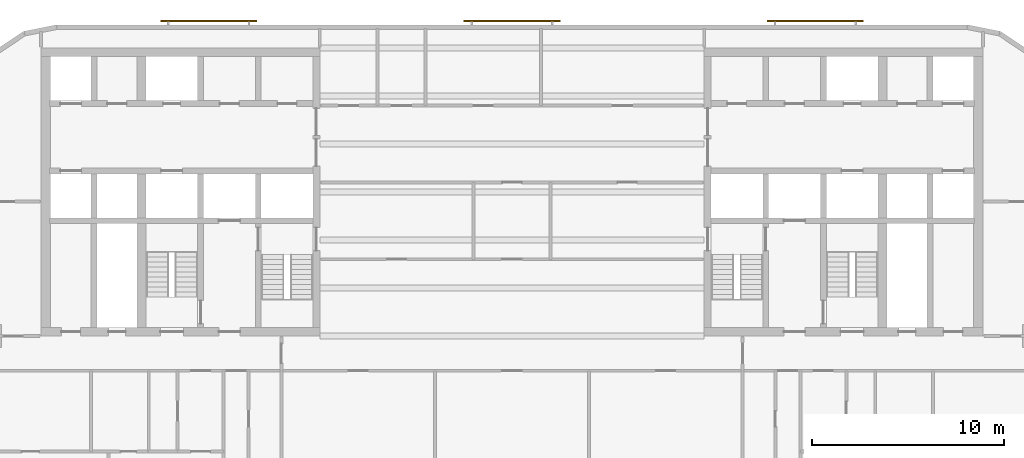
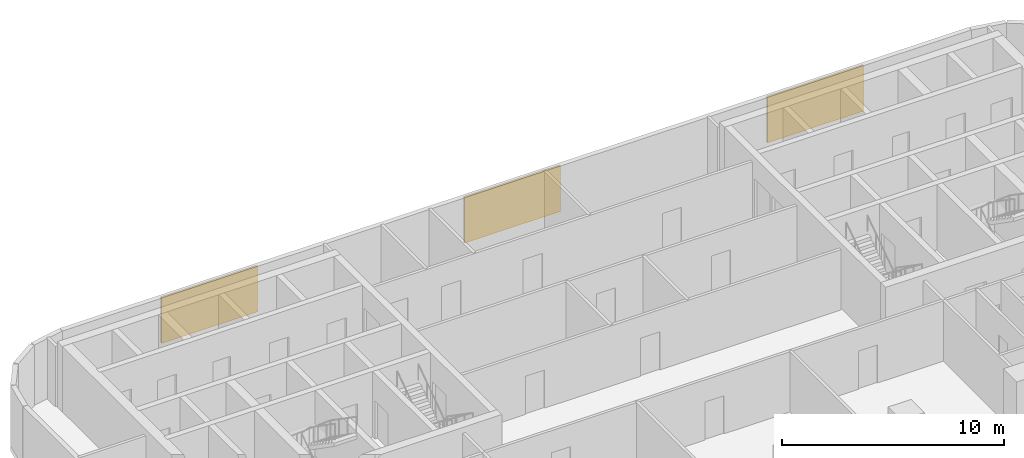
# One storey, part 10 of 11: 3 shading devices.
"""IFC4 building model written with IfcOpenShell, lengths in metres."""

from ifc_helpers import new_model, si_unit, direction, frame, origin, origin_2d, place, context, subcontext, project, spatial, rectangle, extrude, material, layer, layer_set, type_object, element, save


model = new_model("IFC4")

# Units and contexts
model_context = context("Model", 3, precision=1e-05, world=origin(), true_north=direction((0.0, 1.0)))
body_context = subcontext(model_context, "Body", "Model", "MODEL_VIEW")
ifc_project = project(units=[si_unit("LENGTHUNIT", "METRE"), si_unit("AREAUNIT", "SQUARE_METRE"), si_unit("VOLUMEUNIT", "CUBIC_METRE"), si_unit("PLANEANGLEUNIT", "RADIAN"), si_unit("MASSUNIT", "GRAM", prefix="KILO")], contexts=[model_context])

# Site, building, storey
site_placement = place(None, origin())
site = spatial("IfcSite", under=ifc_project, at=site_placement, CompositionType="ELEMENT")
building_placement = place(site_placement, origin())
building = spatial("IfcBuilding", under=site, at=building_placement, Name="Torana Hotel and Residences", CompositionType="ELEMENT")
storey_placement = place(building_placement, frame((0.0, 0.0, 148.800048828125)))
storey = spatial("IfcBuildingStorey", under=building, at=storey_placement, Name="L38", CompositionType="ELEMENT", Elevation=148.800048828125)

# Shading devices
ifc_material = material(Name="Concrete C40/50 precast", Category="concrete")
ifc_layer = layer(ifc_material, 0.10009765625)
ifc_layer_set = layer_set([ifc_layer], Name="SC1 PERFORATED BLOCK SCREEN PANEL 100")
shading_device_type = type_object("IfcShadingDeviceType", Name="SC1 PERFORATED BLOCK SCREEN PANEL 100", PredefinedType="USERDEFINED", material=ifc_layer_set)
for number, where, z_axis, x_axis, name in (
    (1, (15.78369140625, 1.39990234375, 0.5), (0.0, 0.0, 1.0), (-1.0, 0.0, 0.0), "Perforated block screen L38"),
    (2, (0.0, 1.39990234375, 0.5), (0.0, 0.0, 1.0), (-1.0, 0.0, 0.0), "Perforated block screen L38"),
    (3, (-15.78369140625, 1.39990234375, 0.5), (0.0, 0.0, 1.0), (-1.0, 0.0, 0.0), "Perforated block screen L38"),
):
    element("IfcShadingDevice", number, at=place(storey_placement, frame(where, z_axis=z_axis, x_axis=x_axis)), inside=storey, type_object=shading_device_type, Name=name, ObjectType="SCREEN", PredefinedType="USERDEFINED", context=body_context, shape_type="SweptSolid", body=[
        extrude(rectangle(XDim=5.0, YDim=0.10009765625, at=origin_2d()), origin(), (0.0, 0.0, 1.0), 2.52001953125),
    ])

save(model, "model.ifc")
